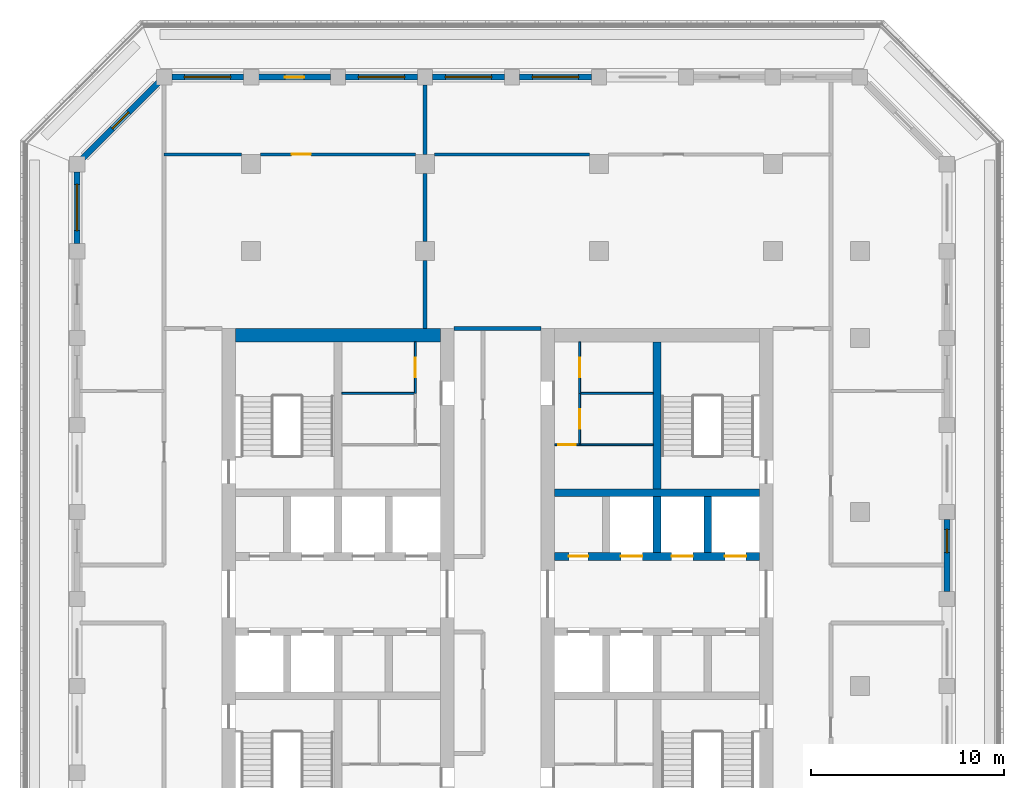
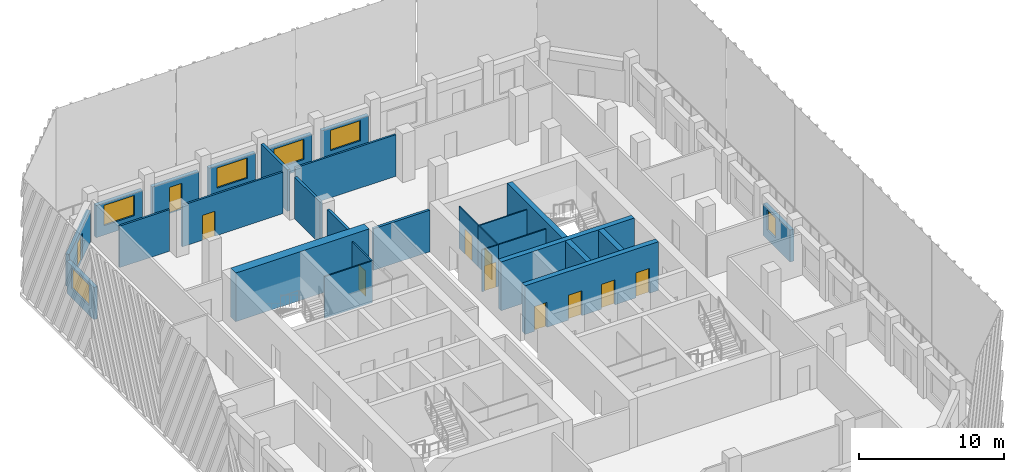
# One storey, part 6 of 17: 28 walls, 11 doors, 6 windows, 17 openings.
"""IFC4 building model written with IfcOpenShell, lengths in metres."""

import ifcopenshell
import ifcopenshell.guid

model = None  # the IFC model being written
_history = None  # IfcOwnerHistory: only IFC2X3 demands one
_inside = {}  # id of a spatial element -> (the spatial element, [elements in it])
_under = {}  # id of a project, library or spatial element -> (it, [spatial elements below it])
_declared = {}  # id of a project -> (the project, [libraries it declares])
_typed = {}  # id of a type object -> (the type object, [elements of that type])
_made_of = {}  # id of a material, layer set ... -> (it, [elements and type objects made of it])


def new_model(schema):
    """Start an empty IFC model of exactly this schema.

    Asked for "IFC4X3", IfcOpenShell would pick the latest addendum, in which some entities
    have other attributes; the version numbers below select the first issue.
    IFC2X3 requires an IfcOwnerHistory on every rooted entity: one is made here for all.
    """
    global model, _history
    if schema == "IFC4X3":
        model = ifcopenshell.file(schema_version=(4, 3, 0, 0))
    else:
        model = ifcopenshell.file(schema=schema)
    _inside.clear()
    _under.clear()
    _declared.clear()
    _typed.clear()
    _made_of.clear()
    _history = None
    if model.schema == "IFC2X3":
        org = make("IfcOrganization", Name="unknown")
        user = make(
            "IfcPersonAndOrganization",
            ThePerson=make("IfcPerson", FamilyName="unknown"),
            TheOrganization=org,
        )
        app = make(
            "IfcApplication",
            ApplicationDeveloper=org,
            Version="unknown",
            ApplicationFullName="unknown",
            ApplicationIdentifier="unknown",
        )
        _history = make(
            "IfcOwnerHistory",
            OwningUser=user,
            OwningApplication=app,
            ChangeAction="ADDED",
            CreationDate=0,
        )
    return model


def make(cls, **values):
    """One entity of the class cls with the attributes given. An attribute that is None is left unset."""
    return model.create_entity(
        cls, **{name: value for name, value in values.items() if value is not None}
    )


def rooted(cls, **values):
    """An entity with a GlobalId (a new one), such as an element, a storey or a relation."""
    return make(cls, GlobalId=ifcopenshell.guid.new(), OwnerHistory=_history, **values)


def si_unit(unit_type, name, prefix=None):
    """IfcSIUnit, for example si_unit("LENGTHUNIT", "METRE", prefix="MILLI")."""
    return make("IfcSIUnit", UnitType=unit_type, Prefix=prefix, Name=name)


def assignment(units):
    """IfcUnitAssignment: the units of a project."""
    return None if units is None else make("IfcUnitAssignment", Units=units)


def point(xyz):
    """IfcCartesianPoint."""
    return None if xyz is None else make("IfcCartesianPoint", Coordinates=xyz)


def direction(xyz):
    """IfcDirection."""
    return None if xyz is None else make("IfcDirection", DirectionRatios=xyz)


def frame(location, z_axis=None, x_axis=None):
    """IfcAxis2Placement3D, a coordinate frame: its origin and axes. An axis left out is left unset."""
    return make(
        "IfcAxis2Placement3D",
        Location=point(location),
        Axis=direction(z_axis),
        RefDirection=direction(x_axis),
    )


def frame_2d(location, x_axis=None):
    """IfcAxis2Placement2D, a coordinate frame in the plane: its origin and x axis."""
    return make(
        "IfcAxis2Placement2D", Location=point(location), RefDirection=direction(x_axis)
    )


def origin():
    """The frame at (0, 0, 0) with its axes left unset."""
    return frame((0.0, 0.0, 0.0))


def place(relative_to, where):
    """IfcLocalPlacement: puts the frame where relative to a parent placement (None: the world)."""
    return make(
        "IfcLocalPlacement", PlacementRelTo=relative_to, RelativePlacement=where
    )


def context(
    kind, dimensions, precision=None, world=None, true_north=None, identifier=None
):
    """IfcGeometricRepresentationContext, for example the 3D "Model" context."""
    return make(
        "IfcGeometricRepresentationContext",
        ContextIdentifier=identifier,
        ContextType=kind,
        CoordinateSpaceDimension=dimensions,
        Precision=precision,
        WorldCoordinateSystem=world,
        TrueNorth=true_north,
    )


def subcontext(parent, identifier, kind, view, scale=None):
    """IfcGeometricRepresentationSubContext, for example "Body" below "Model"."""
    return make(
        "IfcGeometricRepresentationSubContext",
        ContextIdentifier=identifier,
        ContextType=kind,
        ParentContext=parent,
        TargetScale=scale,
        TargetView=view,
    )


def project(units=None, contexts=None):
    """IfcProject with its units and contexts."""
    return rooted(
        "IfcProject",
        Name="project",
        RepresentationContexts=contexts,
        UnitsInContext=assignment(units),
    )


def spatial(cls, under=None, at=None, **own):
    """A site, building, storey or space (cls), placed at a placement, below another one or the project."""
    s = rooted(cls, ObjectPlacement=at, **own)
    if under is not None:
        _under.setdefault(under.id(), (under, []))[1].append(s)
    return s


def profile(cls, at=None, kind="AREA", **sizes):
    """A parametric profile (cls). Its sizes go by their IFC names, for example OverallWidth=200.0."""
    return make(cls, ProfileType=kind, Position=at, **sizes)


def rectangle(**sizes):
    """IfcRectangleProfileDef."""
    return profile("IfcRectangleProfileDef", **sizes)


def extrude(swept, where, along, depth):
    """IfcExtrudedAreaSolid: the profile swept, set in the frame where, extruded along a direction by depth."""
    return make(
        "IfcExtrudedAreaSolid",
        SweptArea=swept,
        Position=where,
        ExtrudedDirection=direction(along),
        Depth=depth,
    )


def shape(context_of_items, identifier, shape_type, items):
    """IfcShapeRepresentation: the items that make up one representation, for example the "Body"."""
    return make(
        "IfcShapeRepresentation",
        ContextOfItems=context_of_items,
        RepresentationIdentifier=identifier,
        RepresentationType=shape_type,
        Items=items,
    )


def material(Name=None, Category=None):
    """IfcMaterial."""
    return make("IfcMaterial", Name=Name, Category=Category)


def layer(
    of_material, thickness, ventilated=None, Name=None, Category=None, Priority=None
):
    """IfcMaterialLayer: one layer of a wall or slab, of a material (None: an air gap)."""
    return make(
        "IfcMaterialLayer",
        Material=of_material,
        LayerThickness=thickness,
        IsVentilated=ventilated,
        Name=Name,
        Category=Category,
        Priority=Priority,
    )


def layer_set(layers, Name=None):
    """IfcMaterialLayerSet."""
    return make("IfcMaterialLayerSet", MaterialLayers=layers, LayerSetName=Name)


def made_of(thing, what):
    """Note that an element or type object is made of a material, layer set ...; save() writes the relation."""
    if what is not None:
        _made_of.setdefault(what.id(), (what, []))[1].append(thing)
    return thing


def type_object(cls, material=None, **own):
    """A type object (cls), such as IfcWallType, which elements share."""
    return made_of(rooted(cls, **own), material)


def element(
    cls,
    number,
    at=None,
    inside=None,
    cuts=None,
    type_object=None,
    material=None,
    context=None,
    identifier="Body",
    shape_type=None,
    held_by="IfcProductDefinitionShape",
    body=None,
    shapes=None,
    **own,
):
    """One element of the class cls, such as IfcWall. Its Tag is "e" and its number.

    at: its placement. inside: the storey or other place that contains it. cuts: it is an
    opening in that element (IfcRelVoidsElement). A single representation is given by context,
    identifier, shape_type and body (its items); several are given by shapes. held_by: the class
    of the entity that holds the representations. save() writes the other relations.
    """
    e = rooted(cls, Tag="e%d" % number, ObjectPlacement=at, **own)
    if body is not None:
        shapes = [shape(context, identifier, shape_type, body)]
    if shapes is not None:
        e.Representation = make(held_by, Representations=shapes)
    if inside is not None:
        _inside.setdefault(inside.id(), (inside, []))[1].append(e)
    if cuts is not None:
        rooted(
            "IfcRelVoidsElement", RelatingBuildingElement=cuts, RelatedOpeningElement=e
        )
    if type_object is not None:
        _typed.setdefault(type_object.id(), (type_object, []))[1].append(e)
    return made_of(e, material)


def fill(opening, filler):
    """IfcRelFillsElement: the door or window that sits in an opening."""
    return rooted(
        "IfcRelFillsElement",
        RelatingOpeningElement=opening,
        RelatedBuildingElement=filler,
    )


def aggregate(whole, parts):
    """IfcRelAggregates: a whole, such as a stair, and the parts it consists of."""
    return rooted("IfcRelAggregates", RelatingObject=whole, RelatedObjects=parts)


def save(model, path):
    """Write the relations noted so far, then the file.

    IfcRelAggregates (storeys below a building ...), IfcRelContainedInSpatialStructure (elements
    in a storey), IfcRelDefinesByType, IfcRelAssociatesMaterial and IfcRelDeclares: one each for
    every whole, place, type object, material and project.
    """
    for whole, parts in _under.values():
        aggregate(whole, parts)
    for where, things in _inside.values():
        rooted(
            "IfcRelContainedInSpatialStructure",
            RelatedElements=things,
            RelatingStructure=where,
        )
    for kind, things in _typed.values():
        rooted("IfcRelDefinesByType", RelatedObjects=things, RelatingType=kind)
    for what, things in _made_of.values():
        rooted("IfcRelAssociatesMaterial", RelatedObjects=things, RelatingMaterial=what)
    for by, libraries in _declared.values():
        rooted("IfcRelDeclares", RelatingContext=by, RelatedDefinitions=libraries)
    model.write(path)


model = new_model("IFC4")

# Units and contexts
model_context = context("Model", 3, precision=1e-05, world=origin(), true_north=direction((0.0, 1.0)))
body_context = subcontext(model_context, "Body", "Model", "MODEL_VIEW")
ifc_project = project(units=[si_unit("LENGTHUNIT", "METRE"), si_unit("AREAUNIT", "SQUARE_METRE"), si_unit("VOLUMEUNIT", "CUBIC_METRE"), si_unit("PLANEANGLEUNIT", "RADIAN"), si_unit("MASSUNIT", "GRAM", prefix="KILO")], contexts=[model_context])

# Site, building, storey
site_placement = place(None, origin())
site = spatial("IfcSite", under=ifc_project, at=site_placement, CompositionType="ELEMENT")
building_placement = place(site_placement, origin())
building = spatial("IfcBuilding", under=site, at=building_placement, Name="Corbel Stack Research Tower", CompositionType="ELEMENT")
storey_placement = place(building_placement, frame((0.0, 0.0, 256.199951171875)))
storey = spatial("IfcBuildingStorey", under=building, at=storey_placement, Name="L58", CompositionType="ELEMENT", Elevation=256.199951171875)

# Wall, openings, doors
ifc_material_1 = material(Name="Concrete C60/75", Category="concrete")
ifc_layer_1 = layer(ifc_material_1, 0.39990234375)
ifc_layer_set_1 = layer_set([ifc_layer_1], Name="Concrete C60/75")
wall_type_1 = type_object("IfcWallType", Name="CW-400-60", PredefinedType="SHEAR", material=ifc_layer_set_1)
wall_1_placement = place(storey_placement, frame((6.699951171875, 6.699951171875, 0.0), z_axis=(0.0, 0.0, 1.0), x_axis=(1.0, 0.0, 0.0)))
wall_1 = element("IfcWall", 1, at=wall_1_placement, inside=storey, type_object=wall_type_1, Name="East core wall, lobby north L58", PredefinedType="SHEAR", context=body_context, shape_type="SweptSolid", body=[
    extrude(rectangle(XDim=10.60009765625, YDim=0.39990234375, at=frame_2d((5.300048828125, 0.0))), origin(), (0.0, 0.0, 1.0), 4.10009765625),
])
opening_1_placement = place(wall_1_placement, frame((3.4375, 0.0, 0.0)))
opening_1 = element("IfcOpeningElement", 2, at=opening_1_placement, cuts=wall_1, Name="Opening LD-HR4", PredefinedType="OPENING", context=body_context, shape_type="SweptSolid", body=[
    extrude(rectangle(XDim=1.10009765625, YDim=2.10009765625, at=frame_2d((0.550048828125, 1.050048828125))), frame((0.0, 0.2099609375, 0.0), z_axis=(0.0, -1.0, 0.0), x_axis=(1.0, 0.0, 0.0)), (0.0, 0.0, 1.0), 0.419921875),
])
opening_2_placement = place(wall_1_placement, frame((6.0625, 0.0, 0.0)))
opening_2 = element("IfcOpeningElement", 3, at=opening_2_placement, cuts=wall_1, Name="Opening LD-HR5", PredefinedType="OPENING", context=body_context, shape_type="SweptSolid", body=[
    extrude(rectangle(XDim=1.10009765625, YDim=2.10009765625, at=frame_2d((0.550048828125, 1.050048828125))), frame((0.0, 0.2099609375, 0.0), z_axis=(0.0, -1.0, 0.0), x_axis=(1.0, 0.0, 0.0)), (0.0, 0.0, 1.0), 0.419921875),
])
opening_3_placement = place(wall_1_placement, frame((8.8125, 0.0, 0.0)))
opening_3 = element("IfcOpeningElement", 4, at=opening_3_placement, cuts=wall_1, Name="Opening LD-HR6", PredefinedType="OPENING", context=body_context, shape_type="SweptSolid", body=[
    extrude(rectangle(XDim=1.10009765625, YDim=2.10009765625, at=frame_2d((0.550048828125, 1.050048828125))), frame((0.0, 0.2099609375, 0.0), z_axis=(0.0, -1.0, 0.0), x_axis=(1.0, 0.0, 0.0)), (0.0, 0.0, 1.0), 0.419921875),
])
opening_4_placement = place(wall_1_placement, frame((0.737548828125, 0.0, 0.0)))
opening_4 = element("IfcOpeningElement", 5, at=opening_4_placement, cuts=wall_1, Name="Opening CR-E24-N1", PredefinedType="OPENING", context=body_context, shape_type="SweptSolid", body=[
    extrude(rectangle(XDim=1.0, YDim=2.10009765625, at=frame_2d((0.5, 1.050048828125))), frame((0.0, 0.2099609375, 0.0), z_axis=(0.0, -1.0, 0.0), x_axis=(1.0, 0.0, 0.0)), (0.0, 0.0, 1.0), 0.419921875),
])
ifc_material_2 = material(Name="Stainless steel landing door", Category="steel")
door_type_1 = type_object("IfcDoorType", Name="Lift landing door 1100 x 2100", OperationType="DOUBLE_DOOR_SLIDING", PredefinedType="DOOR", material=ifc_material_2)
door_1_placement = place(opening_1_placement, origin())
door_1 = element("IfcDoor", 6, at=door_1_placement, inside=storey, type_object=door_type_1, Name="Landing door HR4", OperationType="DOUBLE_DOOR_SLIDING", OverallHeight=2.10009765625, OverallWidth=1.10009765625, PredefinedType="DOOR", context=body_context, shape_type="SweptSolid", body=[
    extrude(rectangle(XDim=1.10009765625, YDim=2.10009765625, at=frame_2d((0.550048828125, 1.050048828125))), frame((0.0, 0.02490234375, 0.0), z_axis=(0.0, -1.0, 0.0), x_axis=(1.0, 0.0, 0.0)), (0.0, 0.0, 1.0), 0.050048828125),
])
fill(opening_1, door_1)
door_2_placement = place(opening_2_placement, origin())
door_2 = element("IfcDoor", 7, at=door_2_placement, inside=storey, type_object=door_type_1, Name="Landing door HR5", OperationType="DOUBLE_DOOR_SLIDING", OverallHeight=2.10009765625, OverallWidth=1.10009765625, PredefinedType="DOOR", context=body_context, shape_type="SweptSolid", body=[
    extrude(rectangle(XDim=1.10009765625, YDim=2.10009765625, at=frame_2d((0.550048828125, 1.050048828125))), frame((0.0, 0.02490234375, 0.0), z_axis=(0.0, -1.0, 0.0), x_axis=(1.0, 0.0, 0.0)), (0.0, 0.0, 1.0), 0.050048828125),
])
fill(opening_2, door_2)
door_3_placement = place(opening_3_placement, origin())
door_3 = element("IfcDoor", 8, at=door_3_placement, inside=storey, type_object=door_type_1, Name="Landing door HR6", OperationType="DOUBLE_DOOR_SLIDING", OverallHeight=2.10009765625, OverallWidth=1.10009765625, PredefinedType="DOOR", context=body_context, shape_type="SweptSolid", body=[
    extrude(rectangle(XDim=1.10009765625, YDim=2.10009765625, at=frame_2d((0.550048828125, 1.050048828125))), frame((0.0, 0.02490234375, 0.0), z_axis=(0.0, -1.0, 0.0), x_axis=(1.0, 0.0, 0.0)), (0.0, 0.0, 1.0), 0.050048828125),
])
fill(opening_3, door_3)
ifc_material_3 = material(Name="Painted steel door", Category="steel")
door_type_2 = type_object("IfcDoorType", Name="Service door 1000 x 2100 FD60 left hand", OperationType="SINGLE_SWING_LEFT", PredefinedType="DOOR", material=ifc_material_3)
door_4_placement = place(opening_4_placement, origin())
door_4 = element("IfcDoor", 9, at=door_4_placement, inside=storey, type_object=door_type_2, Name="Cleaner's store door E core", OperationType="SINGLE_SWING_LEFT", OverallHeight=2.10009765625, OverallWidth=1.0, PredefinedType="DOOR", context=body_context, shape_type="SweptSolid", body=[
    extrude(rectangle(XDim=1.0, YDim=2.10009765625, at=frame_2d((0.5, 1.050048828125))), frame((0.0, 0.02490234375, 0.0), z_axis=(0.0, -1.0, 0.0), x_axis=(1.0, 0.0, 0.0)), (0.0, 0.0, 1.0), 0.050048828125),
])
fill(opening_4, door_4)

# Walls
wall_2_placement = place(storey_placement, frame((6.699951171875, 10.0, 0.0), z_axis=(0.0, 0.0, 1.0), x_axis=(1.0, 0.0, 0.0)))
element("IfcWall", 10, at=wall_2_placement, inside=storey, type_object=wall_type_1, Name="East core wall, north row back L58", PredefinedType="SHEAR", context=body_context, shape_type="SweptSolid", body=[
    extrude(rectangle(XDim=10.60009765625, YDim=0.39990234375, at=frame_2d((5.300048828125, 0.0))), origin(), (0.0, 0.0, 1.0), 4.10009765625),
])
for number, where, z_axis, x_axis, name in (
    (11, (12.0, 6.89990234375, 0.0), (0.0, 0.0, 1.0), (0.0, 1.0, 0.0), "East core wall, north shaft 2 L58"),
    (12, (14.625, 6.89990234375, 0.0), (0.0, 0.0, 1.0), (0.0, 1.0, 0.0), "East core wall, north shaft 3 L58"),
):
    element("IfcWall", number, at=place(storey_placement, frame(where, z_axis=z_axis, x_axis=x_axis)), inside=storey, type_object=wall_type_1, Name=name, PredefinedType="SHEAR", context=body_context, shape_type="SweptSolid", body=[
        extrude(rectangle(XDim=2.900146484375, YDim=0.39990234375, at=frame_2d((1.4501953125, 0.0))), origin(), (0.0, 0.0, 1.0), 4.10009765625),
    ])
wall_3_placement = place(storey_placement, frame((12.0, 10.199951171875, 0.0), z_axis=(0.0, 0.0, 1.0), x_axis=(0.0, 1.0, 0.0)))
element("IfcWall", 13, at=wall_3_placement, inside=storey, type_object=wall_type_1, Name="East core wall, north stair and riser L58", PredefinedType="SHEAR", context=body_context, shape_type="SweptSolid", body=[
    extrude(rectangle(XDim=7.60009765625, YDim=0.39990234375, at=frame_2d((3.800048828125, 0.0))), origin(), (0.0, 0.0, 1.0), 4.10009765625),
])
ifc_material_4 = material(Name="Concrete C60/75", Category="concrete")
ifc_layer_2 = layer(ifc_material_4, 0.699951171875)
ifc_layer_set_2 = layer_set([ifc_layer_2], Name="Concrete C60/75")
wall_type_2 = type_object("IfcWallType", Name="CW-700-60", PredefinedType="SHEAR", material=ifc_layer_set_2)
wall_4_placement = place(storey_placement, frame((-9.800048828125, 18.14990234375, 0.0), z_axis=(0.0, 0.0, 1.0), x_axis=(1.0, 0.0, 0.0)))
element("IfcWall", 14, at=wall_4_placement, inside=storey, type_object=wall_type_2, Name="West core wall, north end L58", PredefinedType="SHEAR", context=body_context, shape_type="SweptSolid", body=[
    extrude(rectangle(XDim=10.60009765625, YDim=0.699951171875, at=frame_2d((5.300048828125, 0.0))), origin(), (0.0, 0.0, 1.0), 4.10009765625),
])

# Wall, opening, door
ifc_material_5 = material(Name="Gypsum board")
ifc_layer_3 = layer(ifc_material_5, 0.10009765625)
ifc_layer_set_3 = layer_set([ifc_layer_3], Name="Gypsum board")
wall_type_3 = type_object("IfcWallType", Name="Core partition 100", PredefinedType="PARTITIONING", material=ifc_layer_set_3)
wall_5_placement = place(storey_placement, frame((-0.5, 15.139892578125, 0.0), z_axis=(0.0, 0.0, 1.0), x_axis=(0.0, 1.0, 0.0)))
wall_5 = element("IfcWall", 15, at=wall_5_placement, inside=storey, type_object=wall_type_3, Name="Core partition W", PredefinedType="PARTITIONING", context=body_context, shape_type="SweptSolid", body=[
    extrude(rectangle(XDim=2.66015625, YDim=0.10009765625, at=frame_2d((1.330078125, 0.0))), origin(), (0.0, 0.0, 1.0), 3.5),
])
opening_5_placement = place(wall_5_placement, frame((0.830078125, 0.0, 0.0)))
opening_5 = element("IfcOpeningElement", 16, at=opening_5_placement, cuts=wall_5, Name="Opening CR-W24-R4-1000", PredefinedType="OPENING", context=body_context, shape_type="SweptSolid", body=[
    extrude(rectangle(XDim=1.0, YDim=2.10009765625, at=frame_2d((0.5, 1.050048828125))), frame((0.0, 0.06005859375, 0.0), z_axis=(0.0, -1.0, 0.0), x_axis=(1.0, 0.0, 0.0)), (0.0, 0.0, 1.0), 0.1201171875),
])
ifc_material_6 = material(Name="Painted steel door", Category="steel")
door_type_3 = type_object("IfcDoorType", Name="Service door 1000 x 2100 FD30 right hand", OperationType="SINGLE_SWING_RIGHT", PredefinedType="DOOR", material=ifc_material_6)
door_5_placement = place(opening_5_placement, origin())
door_5 = element("IfcDoor", 17, at=door_5_placement, inside=storey, type_object=door_type_3, Name="Copy and supply store door W core", OperationType="SINGLE_SWING_RIGHT", OverallHeight=2.10009765625, OverallWidth=1.0, PredefinedType="DOOR", context=body_context, shape_type="SweptSolid", body=[
    extrude(rectangle(XDim=1.0, YDim=2.10009765625, at=frame_2d((0.5, 1.050048828125))), frame((0.0, 0.02490234375, 0.0), z_axis=(0.0, -1.0, 0.0), x_axis=(1.0, 0.0, 0.0)), (0.0, 0.0, 1.0), 0.050048828125),
])
fill(opening_5, door_5)

# Wall
wall_6_placement = place(storey_placement, frame((-4.300048828125, 15.139892578125, 0.0), z_axis=(0.0, 0.0, 1.0), x_axis=(1.0, 0.0, 0.0)))
element("IfcWall", 18, at=wall_6_placement, inside=storey, type_object=wall_type_3, Name="Core partition W", PredefinedType="PARTITIONING", context=body_context, shape_type="SweptSolid", body=[
    extrude(rectangle(XDim=3.800048828125, YDim=0.10009765625, at=frame_2d((1.89990234375, 0.0))), origin(), (0.0, 0.0, 1.0), 3.5),
])

# Wall, opening, door
wall_7_placement = place(storey_placement, frame((6.699951171875, 12.47998046875, 0.0), z_axis=(0.0, 0.0, 1.0), x_axis=(1.0, 0.0, 0.0)))
wall_7 = element("IfcWall", 19, at=wall_7_placement, inside=storey, type_object=wall_type_3, Name="Core partition E", PredefinedType="PARTITIONING", context=body_context, shape_type="SweptSolid", body=[
    extrude(rectangle(XDim=1.300048828125, YDim=0.10009765625, at=frame_2d((0.64990234375, 0.0))), origin(), (0.0, 0.0, 1.0), 3.5),
])
opening_6_placement = place(wall_7_placement, frame((0.199951171875, 0.0, 0.0)))
opening_6 = element("IfcOpeningElement", 20, at=opening_6_placement, cuts=wall_7, Name="Opening CR-E24-R1-900", PredefinedType="OPENING", context=body_context, shape_type="SweptSolid", body=[
    extrude(rectangle(XDim=0.89990234375, YDim=2.10009765625, at=frame_2d((0.449951171875, 1.050048828125))), frame((0.0, 0.06005859375, 0.0), z_axis=(0.0, -1.0, 0.0), x_axis=(1.0, 0.0, 0.0)), (0.0, 0.0, 1.0), 0.1201171875),
])
ifc_material_7 = material(Name="Painted steel door", Category="steel")
door_type_4 = type_object("IfcDoorType", Name="Riser door 900 x 2100 FD60 right hand", OperationType="SINGLE_SWING_RIGHT", PredefinedType="DOOR", material=ifc_material_7)
door_6_placement = place(opening_6_placement, origin())
door_6 = element("IfcDoor", 21, at=door_6_placement, inside=storey, type_object=door_type_4, Name="Electrical riser door E core", OperationType="SINGLE_SWING_RIGHT", OverallHeight=2.10009765625, OverallWidth=0.89990234375, PredefinedType="DOOR", context=body_context, shape_type="SweptSolid", body=[
    extrude(rectangle(XDim=0.89990234375, YDim=2.10009765625, at=frame_2d((0.449951171875, 1.050048828125))), frame((0.0, 0.02490234375, 0.0), z_axis=(0.0, -1.0, 0.0), x_axis=(1.0, 0.0, 0.0)), (0.0, 0.0, 1.0), 0.050048828125),
])
fill(opening_6, door_6)

# Wall
wall_8_placement = place(storey_placement, frame((8.0, 12.47998046875, 0.0), z_axis=(0.0, 0.0, 1.0), x_axis=(1.0, 0.0, 0.0)))
element("IfcWall", 22, at=wall_8_placement, inside=storey, type_object=wall_type_3, Name="Core partition E", PredefinedType="PARTITIONING", context=body_context, shape_type="SweptSolid", body=[
    extrude(rectangle(XDim=3.800048828125, YDim=0.10009765625, at=frame_2d((1.89990234375, 0.0))), origin(), (0.0, 0.0, 1.0), 3.5),
])

# Wall, opening, door
wall_9_placement = place(storey_placement, frame((8.0, 12.47998046875, 0.0), z_axis=(0.0, 0.0, 1.0), x_axis=(0.0, 1.0, 0.0)))
wall_9 = element("IfcWall", 23, at=wall_9_placement, inside=storey, type_object=wall_type_3, Name="Core partition E", PredefinedType="PARTITIONING", context=body_context, shape_type="SweptSolid", body=[
    extrude(rectangle(XDim=2.659912109375, YDim=0.10009765625, at=frame_2d((1.330078125, 0.0))), origin(), (0.0, 0.0, 1.0), 3.5),
])
opening_7_placement = place(wall_9_placement, frame((0.830078125, 0.0, 0.0)))
opening_7 = element("IfcOpeningElement", 24, at=opening_7_placement, cuts=wall_9, Name="Opening CR-E24-R3-1000", PredefinedType="OPENING", context=body_context, shape_type="SweptSolid", body=[
    extrude(rectangle(XDim=1.0, YDim=2.10009765625, at=frame_2d((0.5, 1.050048828125))), frame((0.0, 0.06005859375, 0.0), z_axis=(0.0, -1.0, 0.0), x_axis=(1.0, 0.0, 0.0)), (0.0, 0.0, 1.0), 0.1201171875),
])
door_7_placement = place(opening_7_placement, origin())
door_7 = element("IfcDoor", 25, at=door_7_placement, inside=storey, type_object=door_type_3, Name="Pantry door E core", OperationType="SINGLE_SWING_RIGHT", OverallHeight=2.10009765625, OverallWidth=1.0, PredefinedType="DOOR", context=body_context, shape_type="SweptSolid", body=[
    extrude(rectangle(XDim=1.0, YDim=2.10009765625, at=frame_2d((0.5, 1.050048828125))), frame((0.0, 0.02490234375, 0.0), z_axis=(0.0, -1.0, 0.0), x_axis=(1.0, 0.0, 0.0)), (0.0, 0.0, 1.0), 0.050048828125),
])
fill(opening_7, door_7)

wall_10_placement = place(storey_placement, frame((8.0, 15.139892578125, 0.0), z_axis=(0.0, 0.0, 1.0), x_axis=(0.0, 1.0, 0.0)))
wall_10 = element("IfcWall", 26, at=wall_10_placement, inside=storey, type_object=wall_type_3, Name="Core partition E", PredefinedType="PARTITIONING", context=body_context, shape_type="SweptSolid", body=[
    extrude(rectangle(XDim=2.66015625, YDim=0.10009765625, at=frame_2d((1.330078125, 0.0))), origin(), (0.0, 0.0, 1.0), 3.5),
])
opening_8_placement = place(wall_10_placement, frame((0.830078125, 0.0, 0.0)))
opening_8 = element("IfcOpeningElement", 27, at=opening_8_placement, cuts=wall_10, Name="Opening CR-E24-R4-1000", PredefinedType="OPENING", context=body_context, shape_type="SweptSolid", body=[
    extrude(rectangle(XDim=1.0, YDim=2.10009765625, at=frame_2d((0.5, 1.050048828125))), frame((0.0, 0.06005859375, 0.0), z_axis=(0.0, -1.0, 0.0), x_axis=(1.0, 0.0, 0.0)), (0.0, 0.0, 1.0), 0.1201171875),
])
ifc_material_8 = material(Name="Painted steel door", Category="steel")
door_type_5 = type_object("IfcDoorType", Name="Service door 1000 x 2100 FD30 left hand", OperationType="SINGLE_SWING_LEFT", PredefinedType="DOOR", material=ifc_material_8)
door_8_placement = place(opening_8_placement, origin())
door_8 = element("IfcDoor", 28, at=door_8_placement, inside=storey, type_object=door_type_5, Name="Copy and supply store door E core", OperationType="SINGLE_SWING_LEFT", OverallHeight=2.10009765625, OverallWidth=1.0, PredefinedType="DOOR", context=body_context, shape_type="SweptSolid", body=[
    extrude(rectangle(XDim=1.0, YDim=2.10009765625, at=frame_2d((0.5, 1.050048828125))), frame((0.0, 0.02490234375, 0.0), z_axis=(0.0, -1.0, 0.0), x_axis=(1.0, 0.0, 0.0)), (0.0, 0.0, 1.0), 0.050048828125),
])
fill(opening_8, door_8)

# Walls
wall_11_placement = place(storey_placement, frame((8.0, 15.139892578125, 0.0), z_axis=(0.0, 0.0, 1.0), x_axis=(1.0, 0.0, 0.0)))
element("IfcWall", 29, at=wall_11_placement, inside=storey, type_object=wall_type_3, Name="Core partition E", PredefinedType="PARTITIONING", context=body_context, shape_type="SweptSolid", body=[
    extrude(rectangle(XDim=3.800048828125, YDim=0.10009765625, at=frame_2d((1.89990234375, 0.0))), origin(), (0.0, 0.0, 1.0), 3.5),
])
ifc_material_9 = material(Name="Fire-rated gypsum board partition on steel studs", Category="steel")
ifc_layer_4 = layer(ifc_material_9, 0.199951171875)
ifc_layer_set_4 = layer_set([ifc_layer_4], Name="Fire-rated gypsum board partition on steel studs")
wall_type_4 = type_object("IfcWallType", Name="Fire-rated partition 200 EI 60", PredefinedType="PARTITIONING", material=ifc_layer_set_4)
for number, where, z_axis, x_axis, name in (
    (30, (0.0, 18.5, 0.0), (0.0, 0.0, 1.0), (0.0, 1.0, 0.0), "Partition L58-005"),
    (31, (0.0, 23.0, 0.0), (0.0, 0.0, 1.0), (0.0, 1.0, 0.0), "Partition L58-006"),
):
    element("IfcWall", number, at=place(storey_placement, frame(where, z_axis=z_axis, x_axis=x_axis)), inside=storey, type_object=wall_type_4, Name=name, PredefinedType="PARTITIONING", context=body_context, shape_type="SweptSolid", body=[
        extrude(rectangle(XDim=3.5, YDim=0.199951171875, at=frame_2d((1.75, 0.0))), origin(), (0.0, 0.0, 1.0), 3.5),
    ])
wall_12_placement = place(storey_placement, frame((0.0, 27.5, 0.0), z_axis=(0.0, 0.0, 1.0), x_axis=(0.0, 1.0, 0.0)))
element("IfcWall", 32, at=wall_12_placement, inside=storey, type_object=wall_type_4, Name="Partition L58-007", PredefinedType="PARTITIONING", context=body_context, shape_type="SweptSolid", body=[
    extrude(rectangle(XDim=3.60009765625, YDim=0.199951171875, at=frame_2d((1.800048828125, 0.0))), origin(), (0.0, 0.0, 1.0), 3.5),
])
wall_13_placement = place(storey_placement, frame((1.5, 18.5, 0.0), z_axis=(0.0, 0.0, 1.0), x_axis=(1.0, 0.0, 0.0)))
element("IfcWall", 33, at=wall_13_placement, inside=storey, type_object=wall_type_4, Name="Partition L58-032", PredefinedType="PARTITIONING", context=body_context, shape_type="SweptSolid", body=[
    extrude(rectangle(XDim=4.5, YDim=0.199951171875, at=frame_2d((2.25, 0.0))), origin(), (0.0, 0.0, 1.0), 3.5),
])
ifc_material_10 = material(Name="Gypsum board partition on steel studs", Category="steel")
ifc_layer_5 = layer(ifc_material_10, 0.14990234375)
ifc_layer_set_5 = layer_set([ifc_layer_5], Name="Gypsum board partition on steel studs")
wall_type_5 = type_object("IfcWallType", Name="Partition 150", PredefinedType="PARTITIONING", material=ifc_layer_set_5)
wall_14_placement = place(storey_placement, frame((-13.5, 27.5, 0.0), z_axis=(0.0, 0.0, 1.0), x_axis=(1.0, 0.0, 0.0)))
element("IfcWall", 34, at=wall_14_placement, inside=storey, type_object=wall_type_5, Name="Partition L58-034", PredefinedType="PARTITIONING", context=body_context, shape_type="SweptSolid", body=[
    extrude(rectangle(XDim=4.0, YDim=0.14990234375, at=frame_2d((2.0, 0.0))), origin(), (0.0, 0.0, 1.0), 3.5),
])

# Wall, opening, door
wall_15_placement = place(storey_placement, frame((-8.5, 27.5, 0.0), z_axis=(0.0, 0.0, 1.0), x_axis=(1.0, 0.0, 0.0)))
wall_15 = element("IfcWall", 35, at=wall_15_placement, inside=storey, type_object=wall_type_5, Name="Partition L58-035", PredefinedType="PARTITIONING", context=body_context, shape_type="SweptSolid", body=[
    extrude(rectangle(XDim=8.0, YDim=0.14990234375, at=frame_2d((4.0, 0.0))), origin(), (0.0, 0.0, 1.0), 3.5),
])
opening_9_placement = place(wall_15_placement, frame((1.60009765625, 0.0, 0.0)))
opening_9 = element("IfcOpeningElement", 36, at=opening_9_placement, cuts=wall_15, Name="Opening B7V2-017", PredefinedType="OPENING", context=body_context, shape_type="SweptSolid", body=[
    extrude(rectangle(XDim=1.0, YDim=2.10009765625, at=frame_2d((0.5, 1.050048828125))), frame((0.0, 0.0849609375, 0.0), z_axis=(0.0, -1.0, 0.0), x_axis=(1.0, 0.0, 0.0)), (0.0, 0.0, 1.0), 0.169921875),
])
ifc_material_11 = material(Name="Painted timber door", Category="wood")
door_type_6 = type_object("IfcDoorType", Name="Single door 1000 x 2100", OperationType="NOTDEFINED", PredefinedType="DOOR", material=ifc_material_11)
door_9_placement = place(opening_9_placement, origin())
door_9 = element("IfcDoor", 37, at=door_9_placement, inside=storey, type_object=door_type_6, Name="Door B7V2-017", OperationType="SINGLE_SWING_LEFT", OverallHeight=2.10009765625, OverallWidth=1.0, PredefinedType="DOOR", context=body_context, shape_type="SweptSolid", body=[
    extrude(rectangle(XDim=1.0, YDim=2.10009765625, at=frame_2d((0.5, 1.050048828125))), frame((0.0, 0.02490234375, 0.0), z_axis=(0.0, -1.0, 0.0), x_axis=(1.0, 0.0, 0.0)), (0.0, 0.0, 1.0), 0.050048828125),
])
fill(opening_9, door_9)

# Wall
wall_16_placement = place(storey_placement, frame((0.5, 27.5, 0.0), z_axis=(0.0, 0.0, 1.0), x_axis=(1.0, 0.0, 0.0)))
element("IfcWall", 38, at=wall_16_placement, inside=storey, type_object=wall_type_5, Name="Partition L58-036", PredefinedType="PARTITIONING", context=body_context, shape_type="SweptSolid", body=[
    extrude(rectangle(XDim=8.0, YDim=0.14990234375, at=frame_2d((4.0, 0.0))), origin(), (0.0, 0.0, 1.0), 3.5),
])

# Wall, opening, window
ifc_material_12 = material(Name="Concrete C45/55", Category="concrete")
ifc_layer_6 = layer(ifc_material_12, 0.300048828125)
ifc_layer_set_6 = layer_set([ifc_layer_6], Name="Concrete C45/55")
wall_type_6 = type_object("IfcWallType", Name="Terracotta-faced concrete wall 300", PredefinedType="SOLIDWALL", material=ifc_layer_set_6)
wall_17_placement = place(storey_placement, frame((27.0, 8.60009765625, 0.0), z_axis=(0.0, 0.0, 1.0), x_axis=(0.0, -1.0, 0.0)))
wall_17 = element("IfcWall", 39, at=wall_17_placement, inside=storey, type_object=wall_type_6, Name="Facade wall L58 E06", PredefinedType="SOLIDWALL", context=body_context, shape_type="SweptSolid", body=[
    extrude(rectangle(XDim=3.7001953125, YDim=0.300048828125, at=frame_2d((1.85009765625, 0.0))), origin(), (0.0, 0.0, 1.0), 2.699951171875),
])
opening_10_placement = place(wall_17_placement, frame((0.5, 0.0, 0.800048828125)))
opening_10 = element("IfcOpeningElement", 40, at=opening_10_placement, cuts=wall_17, Name="Opening W2", PredefinedType="OPENING", context=body_context, shape_type="SweptSolid", body=[
    extrude(rectangle(XDim=1.199951171875, YDim=1.699951171875, at=frame_2d((0.60009765625, 0.85009765625))), frame((0.0, 0.159912109375, 0.0), z_axis=(0.0, -1.0, 0.0), x_axis=(1.0, 0.0, 0.0)), (0.0, 0.0, 1.0), 0.320068359375),
])
ifc_material_13 = material(Name="Aluminium frame, clear double glazing", Category="aluminium")
window_type_1 = type_object("IfcWindowType", Name="Window W2 1200 x 1700", PartitioningType="SINGLE_PANEL", PredefinedType="WINDOW", material=ifc_material_13)
window_1_placement = place(opening_10_placement, origin())
window_1 = element("IfcWindow", 41, at=window_1_placement, inside=storey, type_object=window_type_1, Name="Window W2 L58 E06", OverallHeight=1.699951171875, OverallWidth=1.199951171875, PartitioningType="SINGLE_PANEL", PredefinedType="WINDOW", context=body_context, shape_type="SweptSolid", body=[
    extrude(rectangle(XDim=1.199951171875, YDim=1.699951171875, at=frame_2d((0.60009765625, 0.85009765625))), frame((0.0, 0.030029296875, 0.0), z_axis=(0.0, -1.0, 0.0), x_axis=(1.0, 0.0, 0.0)), (0.0, 0.0, 1.0), 0.06005859375),
])
fill(opening_10, window_1)

wall_18_placement = place(storey_placement, frame((4.89990234375, 31.5, 0.0), z_axis=(0.0, 0.0, 1.0), x_axis=(1.0, 0.0, 0.0)))
wall_18 = element("IfcWall", 42, at=wall_18_placement, inside=storey, type_object=wall_type_6, Name="Facade wall L58 N04", PredefinedType="SOLIDWALL", context=body_context, shape_type="SweptSolid", body=[
    extrude(rectangle(XDim=3.7001953125, YDim=0.300048828125, at=frame_2d((1.85009765625, 0.0))), origin(), (0.0, 0.0, 1.0), 2.699951171875),
])
opening_11_placement = place(wall_18_placement, frame((0.64990234375, 0.0, 0.800048828125)))
opening_11 = element("IfcOpeningElement", 43, at=opening_11_placement, cuts=wall_18, Name="Opening W1", PredefinedType="OPENING", context=body_context, shape_type="SweptSolid", body=[
    extrude(rectangle(XDim=2.39990234375, YDim=1.699951171875, at=frame_2d((1.199951171875, 0.85009765625))), frame((0.0, 0.159912109375, 0.0), z_axis=(0.0, -1.0, 0.0), x_axis=(1.0, 0.0, 0.0)), (0.0, 0.0, 1.0), 0.320068359375),
])
ifc_material_14 = material(Name="Aluminium frame, clear double glazing", Category="aluminium")
window_type_2 = type_object("IfcWindowType", Name="Window W1 2400 x 1700", PartitioningType="SINGLE_PANEL", PredefinedType="WINDOW", material=ifc_material_14)
window_2_placement = place(opening_11_placement, origin())
window_2 = element("IfcWindow", 44, at=window_2_placement, inside=storey, type_object=window_type_2, Name="Window W1 L58 N04", OverallHeight=1.699951171875, OverallWidth=2.39990234375, PartitioningType="SINGLE_PANEL", PredefinedType="WINDOW", context=body_context, shape_type="SweptSolid", body=[
    extrude(rectangle(XDim=2.39990234375, YDim=1.699951171875, at=frame_2d((1.199951171875, 0.85009765625))), frame((0.0, 0.030029296875, 0.0), z_axis=(0.0, -1.0, 0.0), x_axis=(1.0, 0.0, 0.0)), (0.0, 0.0, 1.0), 0.06005859375),
])
fill(opening_11, window_2)

wall_19_placement = place(storey_placement, frame((0.39990234375, 31.5, 0.0), z_axis=(0.0, 0.0, 1.0), x_axis=(1.0, 0.0, 0.0)))
wall_19 = element("IfcWall", 45, at=wall_19_placement, inside=storey, type_object=wall_type_6, Name="Facade wall L58 N05", PredefinedType="SOLIDWALL", context=body_context, shape_type="SweptSolid", body=[
    extrude(rectangle(XDim=3.7001953125, YDim=0.300048828125, at=frame_2d((1.85009765625, 0.0))), origin(), (0.0, 0.0, 1.0), 2.699951171875),
])
opening_12_placement = place(wall_19_placement, frame((0.64990234375, 0.0, 0.800048828125)))
opening_12 = element("IfcOpeningElement", 46, at=opening_12_placement, cuts=wall_19, Name="Opening W1", PredefinedType="OPENING", context=body_context, shape_type="SweptSolid", body=[
    extrude(rectangle(XDim=2.39990234375, YDim=1.699951171875, at=frame_2d((1.199951171875, 0.85009765625))), frame((0.0, 0.159912109375, 0.0), z_axis=(0.0, -1.0, 0.0), x_axis=(1.0, 0.0, 0.0)), (0.0, 0.0, 1.0), 0.320068359375),
])
window_3_placement = place(opening_12_placement, origin())
window_3 = element("IfcWindow", 47, at=window_3_placement, inside=storey, type_object=window_type_2, Name="Window W1 L58 N05", OverallHeight=1.699951171875, OverallWidth=2.39990234375, PartitioningType="SINGLE_PANEL", PredefinedType="WINDOW", context=body_context, shape_type="SweptSolid", body=[
    extrude(rectangle(XDim=2.39990234375, YDim=1.699951171875, at=frame_2d((1.199951171875, 0.85009765625))), frame((0.0, 0.030029296875, 0.0), z_axis=(0.0, -1.0, 0.0), x_axis=(1.0, 0.0, 0.0)), (0.0, 0.0, 1.0), 0.06005859375),
])
fill(opening_12, window_3)

wall_20_placement = place(storey_placement, frame((-4.10009765625, 31.5, 0.0), z_axis=(0.0, 0.0, 1.0), x_axis=(1.0, 0.0, 0.0)))
wall_20 = element("IfcWall", 48, at=wall_20_placement, inside=storey, type_object=wall_type_6, Name="Facade wall L58 N06", PredefinedType="SOLIDWALL", context=body_context, shape_type="SweptSolid", body=[
    extrude(rectangle(XDim=3.7001953125, YDim=0.300048828125, at=frame_2d((1.85009765625, 0.0))), origin(), (0.0, 0.0, 1.0), 2.699951171875),
])
opening_13_placement = place(wall_20_placement, frame((0.64990234375, 0.0, 0.800048828125)))
opening_13 = element("IfcOpeningElement", 49, at=opening_13_placement, cuts=wall_20, Name="Opening W1", PredefinedType="OPENING", context=body_context, shape_type="SweptSolid", body=[
    extrude(rectangle(XDim=2.39990234375, YDim=1.699951171875, at=frame_2d((1.199951171875, 0.85009765625))), frame((0.0, 0.159912109375, 0.0), z_axis=(0.0, -1.0, 0.0), x_axis=(1.0, 0.0, 0.0)), (0.0, 0.0, 1.0), 0.320068359375),
])
window_4_placement = place(opening_13_placement, origin())
window_4 = element("IfcWindow", 50, at=window_4_placement, inside=storey, type_object=window_type_2, Name="Window W1 L58 N06", OverallHeight=1.699951171875, OverallWidth=2.39990234375, PartitioningType="SINGLE_PANEL", PredefinedType="WINDOW", context=body_context, shape_type="SweptSolid", body=[
    extrude(rectangle(XDim=2.39990234375, YDim=1.699951171875, at=frame_2d((1.199951171875, 0.85009765625))), frame((0.0, 0.030029296875, 0.0), z_axis=(0.0, -1.0, 0.0), x_axis=(1.0, 0.0, 0.0)), (0.0, 0.0, 1.0), 0.06005859375),
])
fill(opening_13, window_4)

# Wall, opening, door
wall_21_placement = place(storey_placement, frame((-8.60009765625, 31.5, 0.0), z_axis=(0.0, 0.0, 1.0), x_axis=(1.0, 0.0, 0.0)))
wall_21 = element("IfcWall", 51, at=wall_21_placement, inside=storey, type_object=wall_type_6, Name="Facade wall L58 N07", PredefinedType="SOLIDWALL", context=body_context, shape_type="SweptSolid", body=[
    extrude(rectangle(XDim=3.7001953125, YDim=0.300048828125, at=frame_2d((1.85009765625, 0.0))), origin(), (0.0, 0.0, 1.0), 2.699951171875),
])
opening_14_placement = place(wall_21_placement, frame((1.35009765625, 0.0, 0.0)))
opening_14 = element("IfcOpeningElement", 52, at=opening_14_placement, cuts=wall_21, Name="Opening L58-B08", PredefinedType="OPENING", context=body_context, shape_type="SweptSolid", body=[
    extrude(rectangle(XDim=1.0, YDim=2.199951171875, at=frame_2d((0.5, 1.10009765625))), frame((0.0, 0.159912109375, 0.0), z_axis=(0.0, -1.0, 0.0), x_axis=(1.0, 0.0, 0.0)), (0.0, 0.0, 1.0), 0.320068359375),
])
ifc_material_15 = material(Name="Aluminium frame, clear double glazing", Category="aluminium")
door_type_7 = type_object("IfcDoorType", Name="Balcony door BD1 1000 x 2200", OperationType="NOTDEFINED", PredefinedType="DOOR", material=ifc_material_15)
door_10_placement = place(opening_14_placement, origin())
door_10 = element("IfcDoor", 53, at=door_10_placement, inside=storey, type_object=door_type_7, Name="Balcony door L58-B08", OperationType="SINGLE_SWING_LEFT", OverallHeight=2.199951171875, OverallWidth=1.0, PredefinedType="DOOR", context=body_context, shape_type="SweptSolid", body=[
    extrude(rectangle(XDim=1.0, YDim=2.199951171875, at=frame_2d((0.5, 1.10009765625))), frame((0.0, 0.02490234375, 0.0), z_axis=(0.0, -1.0, 0.0), x_axis=(1.0, 0.0, 0.0)), (0.0, 0.0, 1.0), 0.050048828125),
])
fill(opening_14, door_10)

# Wall, opening, window
wall_22_placement = place(storey_placement, frame((-13.10009765625, 31.5, 0.0), z_axis=(0.0, 0.0, 1.0), x_axis=(1.0, 0.0, 0.0)))
wall_22 = element("IfcWall", 54, at=wall_22_placement, inside=storey, type_object=wall_type_6, Name="Facade wall L58 N08", PredefinedType="SOLIDWALL", context=body_context, shape_type="SweptSolid", body=[
    extrude(rectangle(XDim=3.7001953125, YDim=0.300048828125, at=frame_2d((1.85009765625, 0.0))), origin(), (0.0, 0.0, 1.0), 2.699951171875),
])
opening_15_placement = place(wall_22_placement, frame((0.64990234375, 0.0, 0.800048828125)))
opening_15 = element("IfcOpeningElement", 55, at=opening_15_placement, cuts=wall_22, Name="Opening W1", PredefinedType="OPENING", context=body_context, shape_type="SweptSolid", body=[
    extrude(rectangle(XDim=2.39990234375, YDim=1.699951171875, at=frame_2d((1.199951171875, 0.85009765625))), frame((0.0, 0.159912109375, 0.0), z_axis=(0.0, -1.0, 0.0), x_axis=(1.0, 0.0, 0.0)), (0.0, 0.0, 1.0), 0.320068359375),
])
window_5_placement = place(opening_15_placement, origin())
window_5 = element("IfcWindow", 56, at=window_5_placement, inside=storey, type_object=window_type_2, Name="Window W1 L58 N08", OverallHeight=1.699951171875, OverallWidth=2.39990234375, PartitioningType="SINGLE_PANEL", PredefinedType="WINDOW", context=body_context, shape_type="SweptSolid", body=[
    extrude(rectangle(XDim=2.39990234375, YDim=1.699951171875, at=frame_2d((1.199951171875, 0.85009765625))), frame((0.0, 0.030029296875, 0.0), z_axis=(0.0, -1.0, 0.0), x_axis=(1.0, 0.0, 0.0)), (0.0, 0.0, 1.0), 0.06005859375),
])
fill(opening_15, window_5)

# Wall, opening, door
wall_23_placement = place(storey_placement, frame((-17.7060546875, 27.2939453125, 0.0), z_axis=(0.0, 0.0, 1.0), x_axis=(0.707106781187, 0.707106781187, 0.0)))
wall_23 = element("IfcWall", 57, at=wall_23_placement, inside=storey, type_object=wall_type_6, Name="Facade wall L58 NW01", PredefinedType="SOLIDWALL", context=body_context, shape_type="SweptSolid", body=[
    extrude(rectangle(XDim=5.532470703125, YDim=0.300048828125, at=frame_2d((2.76611328125, 0.0))), origin(), (0.0, 0.0, 1.0), 2.699951171875),
])
opening_16_placement = place(wall_23_placement, frame((2.166259765625, 0.0, 0.0)))
opening_16 = element("IfcOpeningElement", 58, at=opening_16_placement, cuts=wall_23, Name="Opening L58-B09", PredefinedType="OPENING", context=body_context, shape_type="SweptSolid", body=[
    extrude(rectangle(XDim=1.199951171875, YDim=2.199951171875, at=frame_2d((0.60009765625, 1.10009765625))), frame((0.0, 0.159912109375, 0.0), z_axis=(0.0, -1.0, 0.0), x_axis=(1.0, 0.0, 0.0)), (0.0, 0.0, 1.0), 0.320068359375),
])
ifc_material_16 = material(Name="Aluminium frame, clear double glazing", Category="aluminium")
door_type_8 = type_object("IfcDoorType", Name="Balcony door BD2 1200 x 2200", OperationType="NOTDEFINED", PredefinedType="DOOR", material=ifc_material_16)
door_11_placement = place(opening_16_placement, origin())
door_11 = element("IfcDoor", 59, at=door_11_placement, inside=storey, type_object=door_type_8, Name="Balcony door L58-B09", OperationType="SINGLE_SWING_LEFT", OverallHeight=2.199951171875, OverallWidth=1.199951171875, PredefinedType="DOOR", context=body_context, shape_type="SweptSolid", body=[
    extrude(rectangle(XDim=1.199951171875, YDim=2.199951171875, at=frame_2d((0.60009765625, 1.10009765625))), frame((0.0, 0.02490234375, 0.0), z_axis=(0.0, -1.0, 0.0), x_axis=(1.0, 0.0, 0.0)), (0.0, 0.0, 1.0), 0.050048828125),
])
fill(opening_16, door_11)

# Wall, opening, window
wall_24_placement = place(storey_placement, frame((-18.0, 22.89990234375, 0.0), z_axis=(0.0, 0.0, 1.0), x_axis=(0.0, 1.0, 0.0)))
wall_24 = element("IfcWall", 60, at=wall_24_placement, inside=storey, type_object=wall_type_6, Name="Facade wall L58 W01", PredefinedType="SOLIDWALL", context=body_context, shape_type="SweptSolid", body=[
    extrude(rectangle(XDim=3.7001953125, YDim=0.300048828125, at=frame_2d((1.85009765625, 0.0))), origin(), (0.0, 0.0, 1.0), 2.699951171875),
])
opening_17_placement = place(wall_24_placement, frame((0.64990234375, 0.0, 0.800048828125)))
opening_17 = element("IfcOpeningElement", 61, at=opening_17_placement, cuts=wall_24, Name="Opening W1", PredefinedType="OPENING", context=body_context, shape_type="SweptSolid", body=[
    extrude(rectangle(XDim=2.39990234375, YDim=1.699951171875, at=frame_2d((1.199951171875, 0.85009765625))), frame((0.0, 0.159912109375, 0.0), z_axis=(0.0, -1.0, 0.0), x_axis=(1.0, 0.0, 0.0)), (0.0, 0.0, 1.0), 0.320068359375),
])
window_6_placement = place(opening_17_placement, origin())
window_6 = element("IfcWindow", 62, at=window_6_placement, inside=storey, type_object=window_type_2, Name="Window W1 L58 W01", OverallHeight=1.699951171875, OverallWidth=2.39990234375, PartitioningType="SINGLE_PANEL", PredefinedType="WINDOW", context=body_context, shape_type="SweptSolid", body=[
    extrude(rectangle(XDim=2.39990234375, YDim=1.699951171875, at=frame_2d((1.199951171875, 0.85009765625))), frame((0.0, 0.030029296875, 0.0), z_axis=(0.0, -1.0, 0.0), x_axis=(1.0, 0.0, 0.0)), (0.0, 0.0, 1.0), 0.06005859375),
])
fill(opening_17, window_6)

save(model, "model.ifc")
